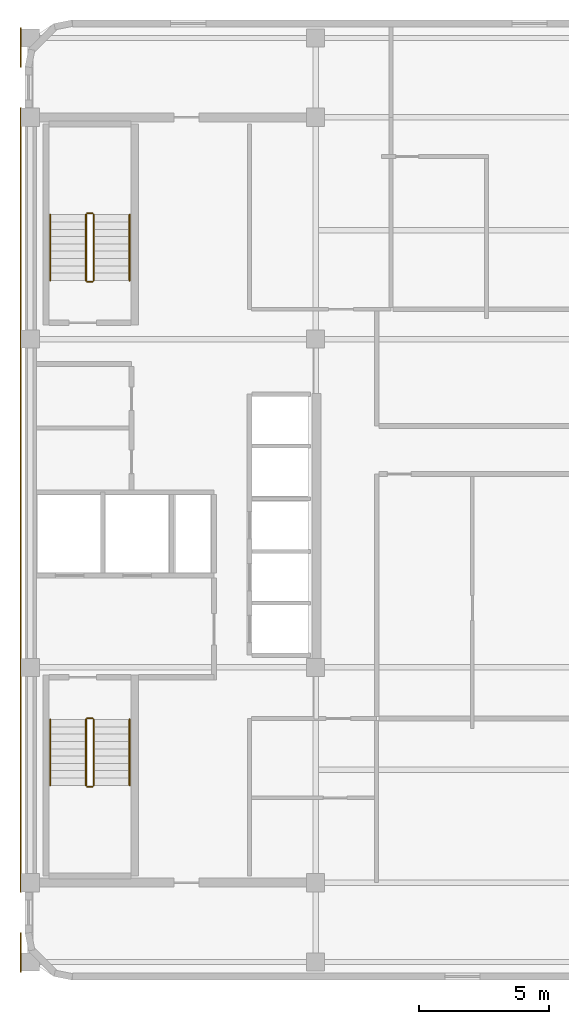
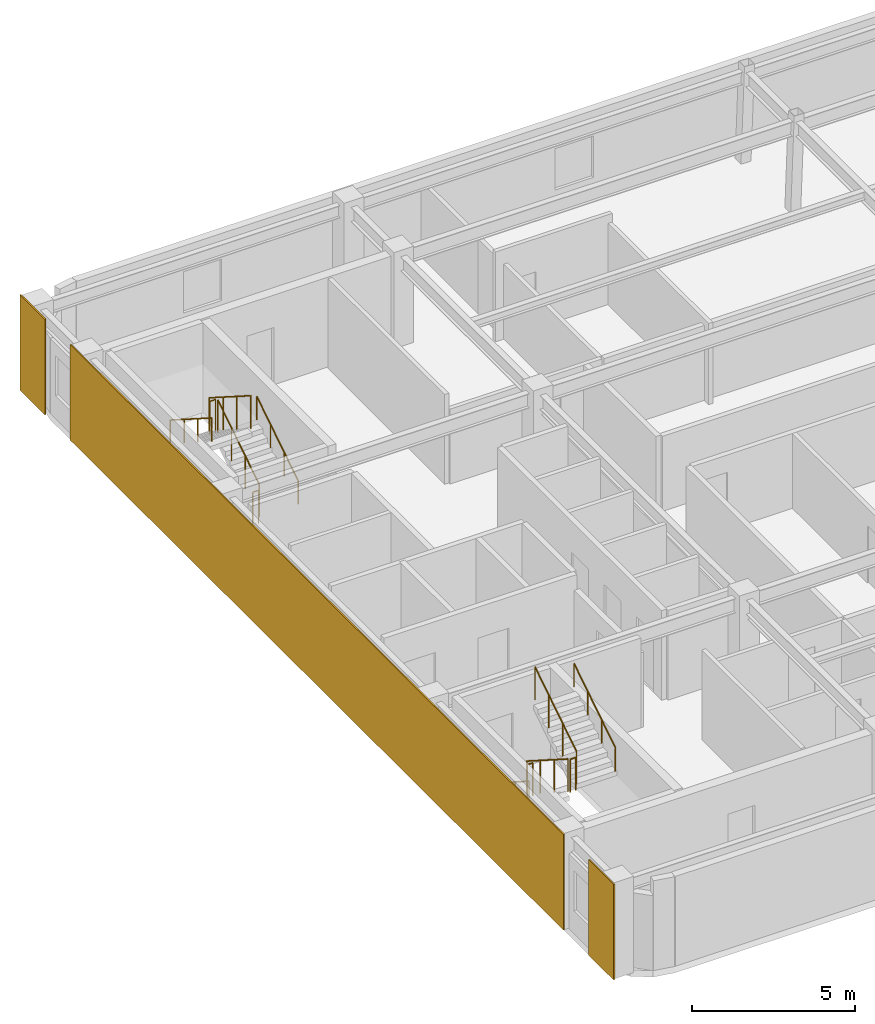
# One storey, part 6 of 6: 12 railings, 3 coverings.
"""IFC4 building model written with IfcOpenShell, lengths in metres."""

from ifc_helpers import new_model, si_unit, direction, frame, origin, origin_2d, place, context, subcontext, project, spatial, rectangle, circle, extrude, material, layer, layer_set, type_object, element, save


model = new_model("IFC4")

# Units and contexts
model_context = context("Model", 3, precision=1e-05, world=origin(), true_north=direction((0.0, 1.0)))
body_context = subcontext(model_context, "Body", "Model", "MODEL_VIEW")
ifc_project = project(units=[si_unit("LENGTHUNIT", "METRE"), si_unit("AREAUNIT", "SQUARE_METRE"), si_unit("VOLUMEUNIT", "CUBIC_METRE"), si_unit("PLANEANGLEUNIT", "RADIAN"), si_unit("MASSUNIT", "GRAM", prefix="KILO")], contexts=[model_context])

# Site, building, storey
site_placement = place(None, origin())
site = spatial("IfcSite", under=ifc_project, at=site_placement, CompositionType="ELEMENT")
building_placement = place(site_placement, origin())
building = spatial("IfcBuilding", under=site, at=building_placement, Name="Ochreholt Gables", CompositionType="ELEMENT")
storey_placement = place(building_placement, frame((0.0, 0.0, 264.0)))
storey = spatial("IfcBuildingStorey", under=building, at=storey_placement, Name="L69", CompositionType="ELEMENT", Elevation=264.0)

# Coverings
ifc_material_1 = material(Name="Glazed Ochre Terracotta Rainscreen Cladding", Category="masonry")
ifc_layer = layer(ifc_material_1, 0.044921875, Name="Glazed Ochre Terracotta Rainscreen Cladding")
ifc_layer_set = layer_set([ifc_layer], Name="Glazed Ochre Terracotta Rainscreen Cladding")
covering_type = type_object("IfcCoveringType", Name="COV-CLAD-TC", PredefinedType="CLADDING", material=ifc_layer_set)
covering_placement = place(storey_placement, frame((23.827880859375, 24.0, 0.010009765625), z_axis=(0.0, 0.0, 1.0), x_axis=(0.0, 1.0, 0.0)))
element("IfcCovering", 1, at=covering_placement, inside=storey, type_object=covering_type, Name="L69 West Core Terracotta Rainscreen Cladding", PredefinedType="CLADDING", context=body_context, shape_type="SweptSolid", body=[
    extrude(rectangle(XDim=30.239990234375, YDim=0.044921875, at=origin_2d()), origin(), (0.0, 0.0, 1.0), 3.580078125),
])
for number, where, z_axis, x_axis, name in (
    (2, (23.827880859375, 6.56005859375, 0.010009765625), (0.0, 0.0, 1.0), (0.0, 1.0, 0.0), "L69 South-West Pier Terracotta Cladding"),
    (3, (23.827880859375, 41.43994140625, 0.010009765625), (0.0, 0.0, 1.0), (0.0, 1.0, 0.0), "L69 North-West Pier Terracotta Cladding"),
):
    element("IfcCovering", number, at=place(storey_placement, frame(where, z_axis=z_axis, x_axis=x_axis)), inside=storey, type_object=covering_type, Name=name, PredefinedType="CLADDING", context=body_context, shape_type="SweptSolid", body=[
        extrude(rectangle(XDim=1.52001953125, YDim=0.044921875, at=origin_2d()), origin(), (0.0, 0.0, 1.0), 3.580078125),
    ])

# Railings
ifc_material_2 = material(Name="Painted Steel Stair Guardrail", Category="steel")
railing_type_1 = type_object("IfcRailingType", Name="RL-ST-GUARD", PredefinedType="GUARDRAIL", material=ifc_material_2)
railing_1_placement = place(storey_placement, frame((26.35009765625, 15.5400390625, 0.179931640625)))
element("IfcRailing", 4, at=railing_1_placement, inside=storey, type_object=railing_type_1, Name="L69 ST-1 stair guard 1", PredefinedType="GUARDRAIL", context=body_context, shape_type="SweptSolid", body=[
    extrude(circle(Radius=0.02392578125, at=origin_2d()), frame((0.0, 0.0, 1.22607421875), z_axis=(0.0, -0.842912820907, 0.538050161556), x_axis=(1.0, 0.0, 0.0)), (0.0, 0.0, 1.0), 3.010986328125),
    extrude(circle(Radius=0.02099609375, at=origin_2d()), origin(), (0.0, 0.0, 1.0), 1.201904296875),
    extrude(circle(Radius=0.02099609375, at=origin_2d()), frame((0.0, -0.845947265625, 0.5400390625)), (0.0, 0.0, 1.0), 1.201904296875),
    extrude(circle(Radius=0.02099609375, at=origin_2d()), frame((0.0, -1.692138671875, 1.080078125)), (0.0, 0.0, 1.0), 1.201904296875),
    extrude(circle(Radius=0.02099609375, at=origin_2d()), frame((0.0, -2.5380859375, 1.6201171875)), (0.0, 0.0, 1.0), 1.201904296875),
])
railing_2_placement = place(storey_placement, frame((26.39990234375, 12.951904296875, 1.800048828125)))
element("IfcRailing", 5, at=railing_2_placement, inside=storey, type_object=railing_type_1, Name="L69 ST-1 stair guard 2", PredefinedType="GUARDRAIL", context=body_context, shape_type="SweptSolid", body=[
    extrude(circle(Radius=0.02392578125, at=origin_2d()), frame((0.0, 0.0, 1.22607421875), z_axis=(1.0, 0.0, 0.0), x_axis=(0.0, 1.0, 0.0)), (0.0, 0.0, 1.0), 0.2001953125),
    extrude(circle(Radius=0.02099609375, at=origin_2d()), origin(), (0.0, 0.0, 1.0), 1.201904296875),
    extrude(circle(Radius=0.02099609375, at=origin_2d()), frame((0.2001953125, 0.0, 0.0)), (0.0, 0.0, 1.0), 1.201904296875),
])
railing_3_placement = place(storey_placement, frame((26.64990234375, 13.001953125, 1.97998046875)))
element("IfcRailing", 6, at=railing_3_placement, inside=storey, type_object=railing_type_1, Name="L69 ST-1 stair guard 3", PredefinedType="GUARDRAIL", context=body_context, shape_type="SweptSolid", body=[
    extrude(circle(Radius=0.02392578125, at=origin_2d()), frame((0.0, 0.0, 1.22607421875), z_axis=(0.0, 0.842912820907, 0.538050161556), x_axis=(-1.0, 0.0, 0.0)), (0.0, 0.0, 1.0), 3.010986328125),
    extrude(circle(Radius=0.02099609375, at=origin_2d()), origin(), (0.0, 0.0, 1.0), 1.201904296875),
    extrude(circle(Radius=0.02099609375, at=origin_2d()), frame((0.0, 0.845947265625, 0.5400390625)), (0.0, 0.0, 1.0), 1.201904296875),
    extrude(circle(Radius=0.02099609375, at=origin_2d()), frame((0.0, 1.692138671875, 1.080078125)), (0.0, 0.0, 1.0), 1.201904296875),
    extrude(circle(Radius=0.02099609375, at=origin_2d()), frame((0.0, 2.5380859375, 1.6201171875)), (0.0, 0.0, 1.0), 1.201904296875),
])
railing_4_placement = place(storey_placement, frame((26.39990234375, 15.590087890625, 0.0)))
element("IfcRailing", 7, at=railing_4_placement, inside=storey, type_object=railing_type_1, Name="L69 ST-1 stair guard 4", PredefinedType="GUARDRAIL", context=body_context, shape_type="SweptSolid", body=[
    extrude(circle(Radius=0.02392578125, at=origin_2d()), frame((0.0, 0.0, 1.22607421875), z_axis=(1.0, 0.0, 0.0), x_axis=(0.0, 1.0, 0.0)), (0.0, 0.0, 1.0), 0.2001953125),
    extrude(circle(Radius=0.02099609375, at=origin_2d()), origin(), (0.0, 0.0, 1.0), 1.201904296875),
    extrude(circle(Radius=0.02099609375, at=origin_2d()), frame((0.2001953125, 0.0, 0.0)), (0.0, 0.0, 1.0), 1.201904296875),
])
railing_5_placement = place(storey_placement, frame((26.64990234375, 32.4599609375, 0.179931640625)))
element("IfcRailing", 8, at=railing_5_placement, inside=storey, type_object=railing_type_1, Name="L69 ST-2 stair guard 1", PredefinedType="GUARDRAIL", context=body_context, shape_type="SweptSolid", body=[
    extrude(circle(Radius=0.02392578125, at=origin_2d()), frame((0.0, 0.0, 1.22607421875), z_axis=(0.0, 0.842912820907, 0.538050161556), x_axis=(-1.0, 0.0, 0.0)), (0.0, 0.0, 1.0), 3.010986328125),
    extrude(circle(Radius=0.02099609375, at=origin_2d()), origin(), (0.0, 0.0, 1.0), 1.201904296875),
    extrude(circle(Radius=0.02099609375, at=origin_2d()), frame((0.0, 0.845947265625, 0.5400390625)), (0.0, 0.0, 1.0), 1.201904296875),
    extrude(circle(Radius=0.02099609375, at=origin_2d()), frame((0.0, 1.692138671875, 1.080078125)), (0.0, 0.0, 1.0), 1.201904296875),
    extrude(circle(Radius=0.02099609375, at=origin_2d()), frame((0.0, 2.5380859375, 1.6201171875)), (0.0, 0.0, 1.0), 1.201904296875),
])
railing_6_placement = place(storey_placement, frame((26.60009765625, 35.048095703125, 1.800048828125)))
element("IfcRailing", 9, at=railing_6_placement, inside=storey, type_object=railing_type_1, Name="L69 ST-2 stair guard 2", PredefinedType="GUARDRAIL", context=body_context, shape_type="SweptSolid", body=[
    extrude(circle(Radius=0.02392578125, at=origin_2d()), frame((0.0, 0.0, 1.22607421875), z_axis=(-1.0, 0.0, 0.0), x_axis=(0.0, -1.0, 0.0)), (0.0, 0.0, 1.0), 0.2001953125),
    extrude(circle(Radius=0.02099609375, at=origin_2d()), origin(), (0.0, 0.0, 1.0), 1.201904296875),
    extrude(circle(Radius=0.02099609375, at=origin_2d()), frame((-0.2001953125, 0.0, 0.0)), (0.0, 0.0, 1.0), 1.201904296875),
])
railing_7_placement = place(storey_placement, frame((26.35009765625, 34.998046875, 1.97998046875)))
element("IfcRailing", 10, at=railing_7_placement, inside=storey, type_object=railing_type_1, Name="L69 ST-2 stair guard 3", PredefinedType="GUARDRAIL", context=body_context, shape_type="SweptSolid", body=[
    extrude(circle(Radius=0.02392578125, at=origin_2d()), frame((0.0, 0.0, 1.22607421875), z_axis=(0.0, -0.842912820907, 0.538050161556), x_axis=(1.0, 0.0, 0.0)), (0.0, 0.0, 1.0), 3.010986328125),
    extrude(circle(Radius=0.02099609375, at=origin_2d()), origin(), (0.0, 0.0, 1.0), 1.201904296875),
    extrude(circle(Radius=0.02099609375, at=origin_2d()), frame((0.0, -0.845947265625, 0.5400390625)), (0.0, 0.0, 1.0), 1.201904296875),
    extrude(circle(Radius=0.02099609375, at=origin_2d()), frame((0.0, -1.692138671875, 1.080078125)), (0.0, 0.0, 1.0), 1.201904296875),
    extrude(circle(Radius=0.02099609375, at=origin_2d()), frame((0.0, -2.5380859375, 1.6201171875)), (0.0, 0.0, 1.0), 1.201904296875),
])
railing_8_placement = place(storey_placement, frame((26.60009765625, 32.409912109375, 0.0)))
element("IfcRailing", 11, at=railing_8_placement, inside=storey, type_object=railing_type_1, Name="L69 ST-2 stair guard 4", PredefinedType="GUARDRAIL", context=body_context, shape_type="SweptSolid", body=[
    extrude(circle(Radius=0.02392578125, at=origin_2d()), frame((0.0, 0.0, 1.22607421875), z_axis=(-1.0, 0.0, 0.0), x_axis=(0.0, -1.0, 0.0)), (0.0, 0.0, 1.0), 0.2001953125),
    extrude(circle(Radius=0.02099609375, at=origin_2d()), origin(), (0.0, 0.0, 1.0), 1.201904296875),
    extrude(circle(Radius=0.02099609375, at=origin_2d()), frame((-0.2001953125, 0.0, 0.0)), (0.0, 0.0, 1.0), 1.201904296875),
])
ifc_material_3 = material(Name="Brushed Stainless Steel Wall Handrail", Category="steel")
railing_type_2 = type_object("IfcRailingType", Name="RL-ST-HAND", PredefinedType="HANDRAIL", material=ifc_material_3)
railing_9_placement = place(storey_placement, frame((24.969970703125, 15.5400390625, 0.179931640625)))
element("IfcRailing", 12, at=railing_9_placement, inside=storey, type_object=railing_type_2, Name="L69 ST-1 stair handrail 1", PredefinedType="HANDRAIL", context=body_context, shape_type="SweptSolid", body=[
    extrude(circle(Radius=0.02392578125, at=origin_2d()), frame((0.0, 0.0, 0.8759765625), z_axis=(0.0, -0.842912820907, 0.538050161556), x_axis=(1.0, 0.0, 0.0)), (0.0, 0.0, 1.0), 3.010986328125),
    extrude(circle(Radius=0.02099609375, at=origin_2d()), origin(), (0.0, 0.0, 1.0), 0.851806640625),
    extrude(circle(Radius=0.02099609375, at=origin_2d()), frame((0.0, -0.845947265625, 0.5400390625)), (0.0, 0.0, 1.0), 0.851806640625),
    extrude(circle(Radius=0.02099609375, at=origin_2d()), frame((0.0, -1.692138671875, 1.080078125)), (0.0, 0.0, 1.0), 0.851806640625),
    extrude(circle(Radius=0.02099609375, at=origin_2d()), frame((0.0, -2.5380859375, 1.6201171875)), (0.0, 0.0, 1.0), 0.851806640625),
])
for number, where, name in (
    (13, (28.030029296875, 13.001953125, 1.97998046875), "L69 ST-1 stair handrail 2"),
    (14, (28.030029296875, 32.4599609375, 0.179931640625), "L69 ST-2 stair handrail 1"),
):
    element("IfcRailing", number, at=place(storey_placement, frame(where)), inside=storey, type_object=railing_type_2, Name=name, PredefinedType="HANDRAIL", context=body_context, shape_type="SweptSolid", body=[
        extrude(circle(Radius=0.02392578125, at=origin_2d()), frame((0.0, 0.0, 0.8759765625), z_axis=(0.0, 0.842912820907, 0.538050161556), x_axis=(-1.0, 0.0, 0.0)), (0.0, 0.0, 1.0), 3.010986328125),
        extrude(circle(Radius=0.02099609375, at=origin_2d()), origin(), (0.0, 0.0, 1.0), 0.851806640625),
        extrude(circle(Radius=0.02099609375, at=origin_2d()), frame((0.0, 0.845947265625, 0.5400390625)), (0.0, 0.0, 1.0), 0.851806640625),
        extrude(circle(Radius=0.02099609375, at=origin_2d()), frame((0.0, 1.692138671875, 1.080078125)), (0.0, 0.0, 1.0), 0.851806640625),
        extrude(circle(Radius=0.02099609375, at=origin_2d()), frame((0.0, 2.5380859375, 1.6201171875)), (0.0, 0.0, 1.0), 0.851806640625),
    ])
railing_10_placement = place(storey_placement, frame((24.969970703125, 34.998046875, 1.97998046875)))
element("IfcRailing", 15, at=railing_10_placement, inside=storey, type_object=railing_type_2, Name="L69 ST-2 stair handrail 2", PredefinedType="HANDRAIL", context=body_context, shape_type="SweptSolid", body=[
    extrude(circle(Radius=0.02392578125, at=origin_2d()), frame((0.0, 0.0, 0.8759765625), z_axis=(0.0, -0.842912820907, 0.538050161556), x_axis=(1.0, 0.0, 0.0)), (0.0, 0.0, 1.0), 3.010986328125),
    extrude(circle(Radius=0.02099609375, at=origin_2d()), origin(), (0.0, 0.0, 1.0), 0.851806640625),
    extrude(circle(Radius=0.02099609375, at=origin_2d()), frame((0.0, -0.845947265625, 0.5400390625)), (0.0, 0.0, 1.0), 0.851806640625),
    extrude(circle(Radius=0.02099609375, at=origin_2d()), frame((0.0, -1.692138671875, 1.080078125)), (0.0, 0.0, 1.0), 0.851806640625),
    extrude(circle(Radius=0.02099609375, at=origin_2d()), frame((0.0, -2.5380859375, 1.6201171875)), (0.0, 0.0, 1.0), 0.851806640625),
])

save(model, "model.ifc")
